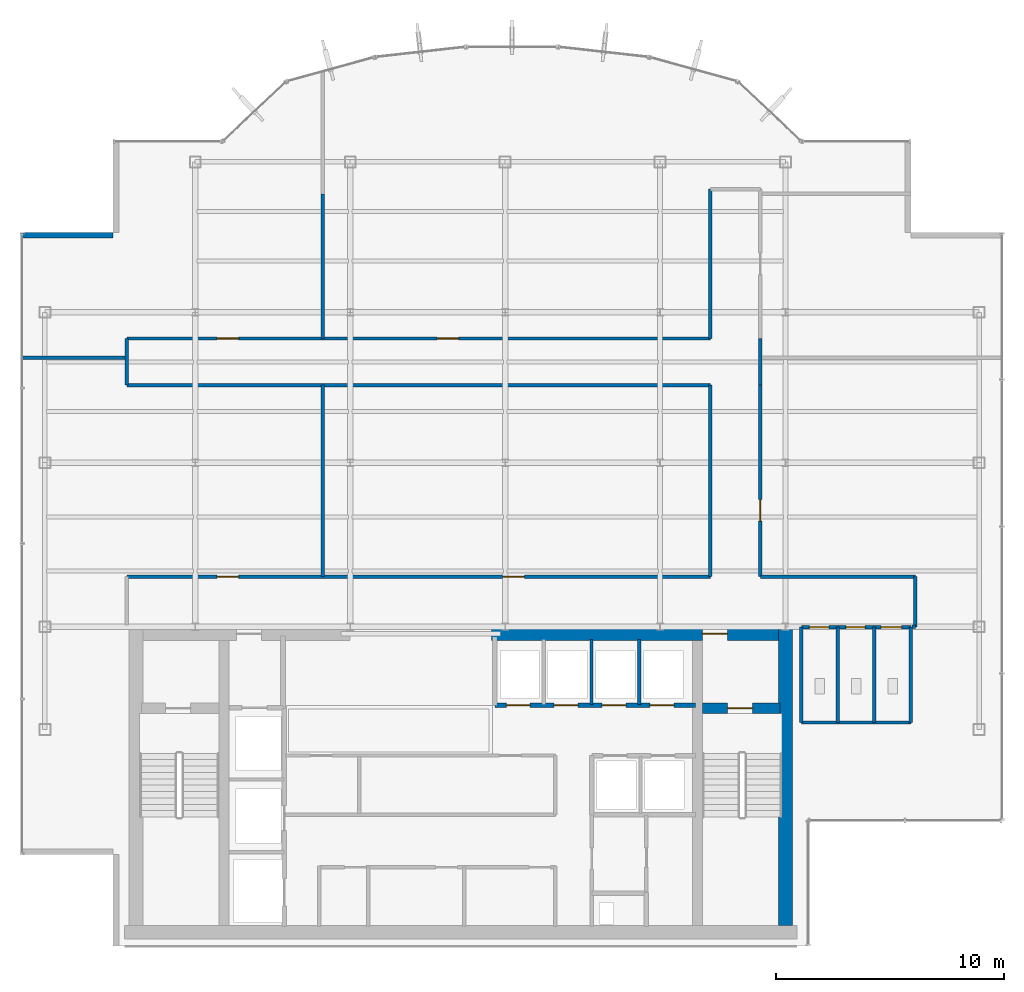
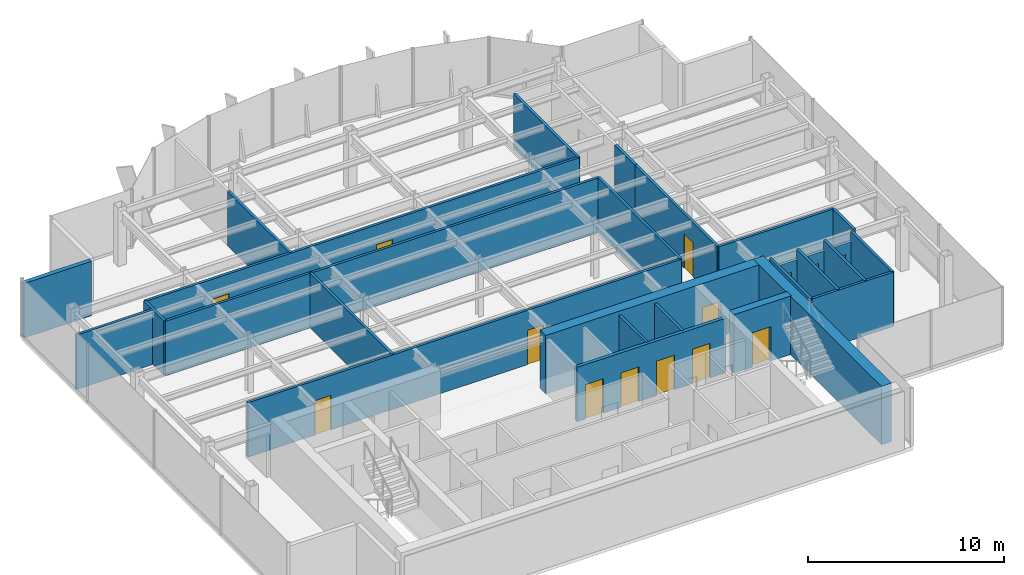
# One storey, part 18 of 22: 27 walls, 14 doors, 14 openings.
"""IFC4 building model written with IfcOpenShell, lengths in metres."""

from ifc_helpers import new_model, si_unit, derived_unit, direction, frame, frame_2d, origin, place, context, subcontext, project, spatial, rectangle, extrude, source, transform, mapped, material, layer, layer_set, type_object, element, fill, save


model = new_model("IFC4")

# Units and contexts
model_context = context("Model", 3, precision=1e-05, world=origin(), true_north=direction((0.0, 1.0)))
body_context = subcontext(model_context, "Body", "Model", "MODEL_VIEW")
ifc_project = project(units=[si_unit("LENGTHUNIT", "METRE"), si_unit("AREAUNIT", "SQUARE_METRE"), si_unit("VOLUMEUNIT", "CUBIC_METRE"), si_unit("PLANEANGLEUNIT", "RADIAN"), si_unit("MASSUNIT", "GRAM", prefix="KILO"), derived_unit("THERMALTRANSMITTANCEUNIT", [(si_unit("POWERUNIT", "WATT"), 1), (si_unit("LENGTHUNIT", "METRE"), -2), (si_unit("THERMODYNAMICTEMPERATUREUNIT", "KELVIN"), -1)])], contexts=[model_context])

# Site, building, storey
site_placement = place(None, origin())
site = spatial("IfcSite", under=ifc_project, at=site_placement, CompositionType="ELEMENT")
building_placement = place(site_placement, origin())
building = spatial("IfcBuilding", under=site, at=building_placement, Name="Skarnbrae Concourse Arena and Tower", CompositionType="ELEMENT")
storey_placement = place(building_placement, frame((0.0, 0.0, 221.449951171875)))
storey = spatial("IfcBuildingStorey", under=building, at=storey_placement, Name="L57", CompositionType="ELEMENT", Elevation=221.449951171875)

# Wall, opening, door
ifc_material_1 = material(Name="Concrete 50 MPa (C50/60)", Category="concrete")
ifc_layer_1 = layer(ifc_material_1, 0.449951171875)
ifc_layer_set_1 = layer_set([ifc_layer_1], Name="Concrete 50 MPa (C50/60)")
wall_type_1 = type_object("IfcWallType", Name="WALL-CORE-450-C50", PredefinedType="SHEAR", material=ifc_layer_set_1)
shared_shape_1 = source(origin(), body_context, "Body", "SweptSolid", [
    extrude(rectangle(XDim=3.389892578125, YDim=0.449951171875, at=frame_2d((1.69482421875, 0.0))), origin(), (0.0, 0.0, 1.0), 3.650146484375),
])
wall_1_placement = place(storey_placement, frame((29.860107421875, 10.419921875, 0.0), z_axis=(0.0, 0.0, 1.0), x_axis=(1.0, 0.0, 0.0)))
wall_1 = element("IfcWall", 1, at=wall_1_placement, inside=storey, type_object=wall_type_1, Name="L57 Rear core shear wall CW-ST2-N", PredefinedType="SHEAR", context=body_context, shape_type="MappedRepresentation", body=[
    mapped(shared_shape_1, transform((0.0, 0.0, 0.0))),
])
opening_1_placement = place(wall_1_placement, frame((1.10009765625, 0.0, 0.0)))
opening_1 = element("IfcOpeningElement", 2, at=opening_1_placement, cuts=wall_1, Name="Opening DT-03", PredefinedType="OPENING", context=body_context, shape_type="SweptSolid", body=[
    extrude(rectangle(XDim=1.10009765625, YDim=2.14990234375, at=frame_2d((0.550048828125, 1.074951171875))), frame((0.0, 0.23486328125, 0.0), z_axis=(0.0, -1.0, 0.0), x_axis=(1.0, 0.0, 0.0)), (0.0, 0.0, 1.0), 0.469970703125),
])
ifc_material_2 = material(Name="Steel CSA G40.21 350W", Category="steel")
door_type_1 = type_object("IfcDoorType", Name="DOOR-FIRE-1100-90M", OperationType="NOTDEFINED", PredefinedType="DOOR", material=ifc_material_2)
shared_shape_2 = source(origin(), body_context, "Body", "SweptSolid", [
    extrude(rectangle(XDim=1.10009765625, YDim=2.14990234375, at=frame_2d((0.550048828125, 1.074951171875))), frame((0.0, 0.02490234375, 0.0), z_axis=(0.0, -1.0, 0.0), x_axis=(1.0, 0.0, 0.0)), (0.0, 0.0, 1.0), 0.050048828125),
])
door_1_placement = place(opening_1_placement, frame((1.10009765625, 0.0, 0.0), z_axis=(0.0, 0.0, 1.0), x_axis=(-1.0, 0.0, 0.0)))
door_1 = element("IfcDoor", 3, at=door_1_placement, inside=storey, type_object=door_type_1, Name="D-1732 Stair ST-2 Door", OperationType="SINGLE_SWING_RIGHT", OverallHeight=2.14990234375, OverallWidth=1.10009765625, PredefinedType="DOOR", context=body_context, shape_type="MappedRepresentation", body=[
    mapped(shared_shape_2, transform((0.0, 0.0, 0.0))),
])
fill(opening_1, door_1)

# Wall
ifc_layer_2 = layer(ifc_material_1, 0.60009765625)
ifc_layer_set_2 = layer_set([ifc_layer_2], Name="Concrete 50 MPa (C50/60)")
wall_type_2 = type_object("IfcWallType", Name="WALL-CORE-600-C50", PredefinedType="SHEAR", material=ifc_layer_set_2)
shared_shape_3 = source(origin(), body_context, "Body", "SweptSolid", [
    extrude(rectangle(XDim=13.10009765625, YDim=0.60009765625, at=frame_2d((6.550048828125, 0.0))), origin(), (0.0, 0.0, 1.0), 3.650146484375),
])
wall_2_placement = place(storey_placement, frame((33.5, 0.89990234375, 0.0), z_axis=(0.0, 0.0, 1.0), x_axis=(0.0, 1.0, 0.0)))
element("IfcWall", 4, at=wall_2_placement, inside=storey, type_object=wall_type_2, Name="L57 Rear core shear wall CW-E", PredefinedType="SHEAR", context=body_context, shape_type="MappedRepresentation", body=[
    mapped(shared_shape_3, transform((0.0, 0.0, 0.0))),
])

# Wall, opening, door
shared_shape_4 = source(origin(), body_context, "Body", "SweptSolid", [
    extrude(rectangle(XDim=12.599853515625, YDim=0.60009765625, at=frame_2d((6.2998046875, 0.0))), origin(), (0.0, 0.0, 1.0), 3.650146484375),
])
wall_3_placement = place(storey_placement, frame((20.60009765625, 13.699951171875, 0.0), z_axis=(0.0, 0.0, 1.0), x_axis=(1.0, 0.0, 0.0)))
wall_3 = element("IfcWall", 5, at=wall_3_placement, inside=storey, type_object=wall_type_2, Name="L57 Rear core shear wall CW-NE", PredefinedType="SHEAR", context=body_context, shape_type="MappedRepresentation", body=[
    mapped(shared_shape_4, transform((0.0, 0.0, 0.0))),
])
opening_2_placement = place(wall_3_placement, frame((9.25, 0.0, 0.0)))
opening_2 = element("IfcOpeningElement", 6, at=opening_2_placement, cuts=wall_3, Name="Opening DT-03", PredefinedType="OPENING", context=body_context, shape_type="SweptSolid", body=[
    extrude(rectangle(XDim=1.10009765625, YDim=2.14990234375, at=frame_2d((0.550048828125, 1.074951171875))), frame((0.0, 0.31005859375, 0.0), z_axis=(0.0, -1.0, 0.0), x_axis=(1.0, 0.0, 0.0)), (0.0, 0.0, 1.0), 0.6201171875),
])
door_2_placement = place(opening_2_placement, origin())
door_2 = element("IfcDoor", 7, at=door_2_placement, inside=storey, type_object=door_type_1, Name="D-1734 Stair ST-2 Vestibule Door", OperationType="SINGLE_SWING_LEFT", OverallHeight=2.14990234375, OverallWidth=1.10009765625, PredefinedType="DOOR", context=body_context, shape_type="MappedRepresentation", body=[
    mapped(shared_shape_2, transform((0.0, 0.0, 0.0))),
])
fill(opening_2, door_2)

# Wall
ifc_material_3 = material(Name="Precast concrete 40 MPa (C40/50)", Category="concrete")
ifc_layer_3 = layer(ifc_material_3, 0.25)
ifc_layer_set_3 = layer_set([ifc_layer_3], Name="Precast concrete 40 MPa (C40/50)")
wall_type_3 = type_object("IfcWallType", Name="WALL-EXT-SPANDREL-250", PredefinedType="STANDARD", material=ifc_layer_set_3)
shared_shape_5 = source(origin(), body_context, "Body", "SweptSolid", [
    extrude(rectangle(XDim=4.0, YDim=0.25, at=frame_2d((2.0, 0.0))), origin(), (0.0, 0.0, 1.0), 3.400146484375),
])
wall_4_placement = place(storey_placement, frame((4.0, 31.175048828125, 0.0), z_axis=(0.0, 0.0, 1.0), x_axis=(-1.0, 0.0, 0.0)))
element("IfcWall", 8, at=wall_4_placement, inside=storey, type_object=wall_type_3, Name="L57 Notched corner insulated return wall 17", PredefinedType="STANDARD", context=body_context, shape_type="MappedRepresentation", body=[
    mapped(shared_shape_5, transform((0.0, 0.0, 0.0))),
])

# Wall, openings, doors
ifc_material_4 = material(Name="Gypsum board on cold-formed steel studs", Category="steel")
ifc_layer_4 = layer(ifc_material_4, 0.199951171875)
ifc_layer_set_4 = layer_set([ifc_layer_4], Name="Gypsum board on cold-formed steel studs")
wall_type_4 = type_object("IfcWallType", Name="WALL-PART-200-2HR", PredefinedType="PARTITIONING", material=ifc_layer_set_4)
shared_shape_6 = source(origin(), body_context, "Body", "SweptSolid", [
    extrude(rectangle(XDim=8.800048828125, YDim=0.199951171875, at=frame_2d((4.39990234375, 0.0))), origin(), (0.0, 0.0, 1.0), 3.400146484375),
])
wall_5_placement = place(storey_placement, frame((20.75, 10.550048828125, 0.0), z_axis=(0.0, 0.0, 1.0), x_axis=(1.0, 0.0, 0.0)))
wall_5 = element("IfcWall", 9, at=wall_5_placement, inside=storey, type_object=wall_type_4, Name="L57 Interior partition wall W-L57-B3N-S", PredefinedType="PARTITIONING", context=body_context, shape_type="MappedRepresentation", body=[
    mapped(shared_shape_6, transform((0.0, 0.0, 0.0))),
])
opening_3_placement = place(wall_5_placement, frame((0.5, 0.0, 0.0)))
opening_3 = element("IfcOpeningElement", 10, at=opening_3_placement, cuts=wall_5, Name="Opening LD-04", PredefinedType="OPENING", context=body_context, shape_type="SweptSolid", body=[
    extrude(rectangle(XDim=1.050048828125, YDim=2.14990234375, at=frame_2d((0.52490234375, 1.074951171875))), frame((0.0, 0.10986328125, 0.0), z_axis=(0.0, -1.0, 0.0), x_axis=(1.0, 0.0, 0.0)), (0.0, 0.0, 1.0), 0.219970703125),
])
opening_4_placement = place(wall_5_placement, frame((2.60009765625, 0.0, 0.0)))
opening_4 = element("IfcOpeningElement", 11, at=opening_4_placement, cuts=wall_5, Name="Opening LD-04", PredefinedType="OPENING", context=body_context, shape_type="SweptSolid", body=[
    extrude(rectangle(XDim=1.050048828125, YDim=2.14990234375, at=frame_2d((0.52490234375, 1.074951171875))), frame((0.0, 0.10986328125, 0.0), z_axis=(0.0, -1.0, 0.0), x_axis=(1.0, 0.0, 0.0)), (0.0, 0.0, 1.0), 0.219970703125),
])
opening_5_placement = place(wall_5_placement, frame((4.699951171875, 0.0, 0.0)))
opening_5 = element("IfcOpeningElement", 12, at=opening_5_placement, cuts=wall_5, Name="Opening LD-04", PredefinedType="OPENING", context=body_context, shape_type="SweptSolid", body=[
    extrude(rectangle(XDim=1.050048828125, YDim=2.14990234375, at=frame_2d((0.52490234375, 1.074951171875))), frame((0.0, 0.10986328125, 0.0), z_axis=(0.0, -1.0, 0.0), x_axis=(1.0, 0.0, 0.0)), (0.0, 0.0, 1.0), 0.219970703125),
])
opening_6_placement = place(wall_5_placement, frame((6.800048828125, 0.0, 0.0)))
opening_6 = element("IfcOpeningElement", 13, at=opening_6_placement, cuts=wall_5, Name="Opening LD-04", PredefinedType="OPENING", context=body_context, shape_type="SweptSolid", body=[
    extrude(rectangle(XDim=1.050048828125, YDim=2.14990234375, at=frame_2d((0.52490234375, 1.074951171875))), frame((0.0, 0.10986328125, 0.0), z_axis=(0.0, -1.0, 0.0), x_axis=(1.0, 0.0, 0.0)), (0.0, 0.0, 1.0), 0.219970703125),
])
ifc_material_5 = material(Name="Bronze anodised aluminium 6063-T6", Category="aluminium")
door_type_2 = type_object("IfcDoorType", Name="DOOR-LIFT-SLIDE-1050H", OperationType="SLIDING_TO_LEFT", PredefinedType="DOOR", material=ifc_material_5)
shared_shape_7 = source(origin(), body_context, "Body", "SweptSolid", [
    extrude(rectangle(XDim=1.050048828125, YDim=2.14990234375, at=frame_2d((0.52490234375, 1.074951171875))), frame((0.0, 0.02490234375, 0.0), z_axis=(0.0, -1.0, 0.0), x_axis=(1.0, 0.0, 0.0)), (0.0, 0.0, 1.0), 0.050048828125),
])
door_3_placement = place(opening_3_placement, frame((1.050048828125, 0.0, 0.0), z_axis=(0.0, 0.0, 1.0), x_axis=(-1.0, 0.0, 0.0)))
door_3 = element("IfcDoor", 14, at=door_3_placement, inside=storey, type_object=door_type_2, Name="D-1743 Passenger Lift Landing Door PL-3A", OperationType="SLIDING_TO_LEFT", OverallHeight=2.14990234375, OverallWidth=1.050048828125, PredefinedType="DOOR", context=body_context, shape_type="MappedRepresentation", body=[
    mapped(shared_shape_7, transform((0.0, 0.0, 0.0))),
])
fill(opening_3, door_3)
door_4_placement = place(opening_4_placement, frame((1.050048828125, 0.0, 0.0), z_axis=(0.0, 0.0, 1.0), x_axis=(-1.0, 0.0, 0.0)))
door_4 = element("IfcDoor", 15, at=door_4_placement, inside=storey, type_object=door_type_2, Name="D-1744 Passenger Lift Landing Door PL-3B", OperationType="SLIDING_TO_LEFT", OverallHeight=2.14990234375, OverallWidth=1.050048828125, PredefinedType="DOOR", context=body_context, shape_type="MappedRepresentation", body=[
    mapped(shared_shape_7, transform((0.0, 0.0, 0.0))),
])
fill(opening_4, door_4)
door_5_placement = place(opening_5_placement, frame((1.050048828125, 0.0, 0.0), z_axis=(0.0, 0.0, 1.0), x_axis=(-1.0, 0.0, 0.0)))
door_5 = element("IfcDoor", 16, at=door_5_placement, inside=storey, type_object=door_type_2, Name="D-1745 Passenger Lift Landing Door PL-3C", OperationType="SLIDING_TO_LEFT", OverallHeight=2.14990234375, OverallWidth=1.050048828125, PredefinedType="DOOR", context=body_context, shape_type="MappedRepresentation", body=[
    mapped(shared_shape_7, transform((0.0, 0.0, 0.0))),
])
fill(opening_5, door_5)
door_6_placement = place(opening_6_placement, frame((1.050048828125, 0.0, 0.0), z_axis=(0.0, 0.0, 1.0), x_axis=(-1.0, 0.0, 0.0)))
door_6 = element("IfcDoor", 17, at=door_6_placement, inside=storey, type_object=door_type_2, Name="D-1746 Passenger Lift Landing Door PL-3D", OperationType="SLIDING_TO_LEFT", OverallHeight=2.14990234375, OverallWidth=1.050048828125, PredefinedType="DOOR", context=body_context, shape_type="MappedRepresentation", body=[
    mapped(shared_shape_7, transform((0.0, 0.0, 0.0))),
])
fill(opening_6, door_6)

# Walls
ifc_layer_5 = layer(ifc_material_4, 0.14990234375)
ifc_layer_set_5 = layer_set([ifc_layer_5], Name="Gypsum board on cold-formed steel studs")
wall_type_5 = type_object("IfcWallType", Name="WALL-PART-150", PredefinedType="PARTITIONING", material=ifc_layer_set_5)
shared_shape_8 = source(origin(), body_context, "Body", "SweptSolid", [
    extrude(rectangle(XDim=2.849853515625, YDim=0.14990234375, at=frame_2d((1.4248046875, 0.0))), origin(), (0.0, 0.0, 1.0), 3.400146484375),
])
for number, where, z_axis, x_axis, name in (
    (18, (24.989990234375, 10.60009765625, 0.0), (0.0, 0.0, 1.0), (0.0, 1.0, 0.0), "L57 Interior partition wall W-L57-B3N-P2"),
    (19, (27.090087890625, 10.60009765625, 0.0), (0.0, 0.0, 1.0), (0.0, 1.0, 0.0), "L57 Interior partition wall W-L57-B3N-P3"),
):
    element("IfcWall", number, at=place(storey_placement, frame(where, z_axis=z_axis, x_axis=x_axis)), inside=storey, type_object=wall_type_5, Name=name, PredefinedType="PARTITIONING", context=body_context, shape_type="MappedRepresentation", body=[
        mapped(shared_shape_8, transform((0.0, 0.0, 0.0))),
    ])
shared_shape_9 = source(origin(), body_context, "Body", "SweptSolid", [
    extrude(rectangle(XDim=4.800048828125, YDim=0.14990234375, at=frame_2d((2.39990234375, 0.0))), origin(), (0.0, 0.0, 1.0), 3.400146484375),
])
wall_6_placement = place(storey_placement, frame((34.199951171875, 9.800048828125, 0.0), z_axis=(0.0, 0.0, 1.0), x_axis=(1.0, 0.0, 0.0)))
element("IfcWall", 20, at=wall_6_placement, inside=storey, type_object=wall_type_5, Name="L57 Interior partition wall W-L57-WC-S", PredefinedType="PARTITIONING", context=body_context, shape_type="MappedRepresentation", body=[
    mapped(shared_shape_9, transform((0.0, 0.0, 0.0))),
])
shared_shape_10 = source(origin(), body_context, "Body", "SweptSolid", [
    extrude(rectangle(XDim=4.179931640625, YDim=0.14990234375, at=frame_2d((2.08984375, 0.0))), origin(), (0.0, 0.0, 1.0), 3.400146484375),
])
for number, where, z_axis, x_axis, name in (
    (21, (39.0, 9.800048828125, 0.0), (0.0, 0.0, 1.0), (0.0, 1.0, 0.0), "L57 Interior partition wall W-L57-WC-E"),
    (22, (34.199951171875, 9.800048828125, 0.0), (0.0, 0.0, 1.0), (0.0, 1.0, 0.0), "L57 Interior partition wall W-L57-WC-W"),
    (23, (35.800048828125, 9.800048828125, 0.0), (0.0, 0.0, 1.0), (0.0, 1.0, 0.0), "L57 Interior partition wall W-L57-WC-D1"),
    (24, (37.39990234375, 9.800048828125, 0.0), (0.0, 0.0, 1.0), (0.0, 1.0, 0.0), "L57 Interior partition wall W-L57-WC-D2"),
):
    element("IfcWall", number, at=place(storey_placement, frame(where, z_axis=z_axis, x_axis=x_axis)), inside=storey, type_object=wall_type_5, Name=name, PredefinedType="PARTITIONING", context=body_context, shape_type="MappedRepresentation", body=[
        mapped(shared_shape_10, transform((0.0, 0.0, 0.0))),
    ])
ifc_layer_6 = layer(ifc_material_4, 0.14990234375)
ifc_layer_set_6 = layer_set([ifc_layer_6], Name="Gypsum board on cold-formed steel studs")
wall_type_6 = type_object("IfcWallType", Name="WALL-PART-150-1HR", PredefinedType="PARTITIONING", material=ifc_layer_set_6)
shared_shape_11 = source(origin(), body_context, "Body", "SweptSolid", [
    extrude(rectangle(XDim=2.199951171875, YDim=0.14990234375, at=frame_2d((1.10009765625, 0.0))), origin(), (0.0, 0.0, 1.0), 3.400146484375),
])
wall_7_placement = place(storey_placement, frame((39.199951171875, 16.199951171875, 0.0), z_axis=(0.0, 0.0, 1.0), x_axis=(0.0, -1.0, 0.0)))
element("IfcWall", 25, at=wall_7_placement, inside=storey, type_object=wall_type_6, Name="L57 Interior partition wall W-L57-COR-13", PredefinedType="PARTITIONING", context=body_context, shape_type="MappedRepresentation", body=[
    mapped(shared_shape_11, transform((0.0, 0.0, 0.0))),
])
shared_shape_12 = source(origin(), body_context, "Body", "SweptSolid", [
    extrude(rectangle(XDim=4.580078125, YDim=0.14990234375, at=frame_2d((2.2900390625, 0.0))), origin(), (0.0, 0.0, 1.0), 3.400146484375),
])
wall_8_placement = place(storey_placement, frame((0.02001953125, 25.800048828125, 0.0), z_axis=(0.0, 0.0, 1.0), x_axis=(1.0, 0.0, 0.0)))
element("IfcWall", 26, at=wall_8_placement, inside=storey, type_object=wall_type_5, Name="L57 Interior partition wall W-L57-DEM-15", PredefinedType="PARTITIONING", context=body_context, shape_type="MappedRepresentation", body=[
    mapped(shared_shape_12, transform((0.0, 0.0, 0.0))),
])

# Wall, openings, doors
shared_shape_13 = source(origin(), body_context, "Body", "SweptSolid", [
    extrude(rectangle(XDim=4.800048828125, YDim=0.14990234375, at=frame_2d((2.39990234375, 0.0))), origin(), (0.0, 0.0, 1.0), 2.787109375),
])
wall_9_placement = place(storey_placement, frame((34.199951171875, 13.97998046875, 0.0), z_axis=(0.0, 0.0, 1.0), x_axis=(1.0, 0.0, 0.0)))
wall_9 = element("IfcWall", 27, at=wall_9_placement, inside=storey, type_object=wall_type_5, Name="L57 Interior partition wall W-L57-WC-N", PredefinedType="PARTITIONING", context=body_context, shape_type="MappedRepresentation", body=[
    mapped(shared_shape_13, transform((0.0, 0.0, 0.0))),
])
opening_7_placement = place(wall_9_placement, frame((0.35009765625, 0.0, 0.0)))
opening_7 = element("IfcOpeningElement", 28, at=opening_7_placement, cuts=wall_9, Name="Opening DT-06", PredefinedType="OPENING", context=body_context, shape_type="SweptSolid", body=[
    extrude(rectangle(XDim=0.85009765625, YDim=2.10009765625, at=frame_2d((0.425048828125, 1.050048828125))), frame((0.0, 0.0849609375, 0.0), z_axis=(0.0, -1.0, 0.0), x_axis=(1.0, 0.0, 0.0)), (0.0, 0.0, 1.0), 0.169921875),
])
opening_8_placement = place(wall_9_placement, frame((1.949951171875, 0.0, 0.0)))
opening_8 = element("IfcOpeningElement", 29, at=opening_8_placement, cuts=wall_9, Name="Opening DT-06", PredefinedType="OPENING", context=body_context, shape_type="SweptSolid", body=[
    extrude(rectangle(XDim=0.85009765625, YDim=2.10009765625, at=frame_2d((0.425048828125, 1.050048828125))), frame((0.0, 0.0849609375, 0.0), z_axis=(0.0, -1.0, 0.0), x_axis=(1.0, 0.0, 0.0)), (0.0, 0.0, 1.0), 0.169921875),
])
opening_9_placement = place(wall_9_placement, frame((3.5, 0.0, 0.0)))
opening_9 = element("IfcOpeningElement", 30, at=opening_9_placement, cuts=wall_9, Name="Opening DT-05", PredefinedType="OPENING", context=body_context, shape_type="SweptSolid", body=[
    extrude(rectangle(XDim=0.89990234375, YDim=2.10009765625, at=frame_2d((0.449951171875, 1.050048828125))), frame((0.0, 0.0849609375, 0.0), z_axis=(0.0, -1.0, 0.0), x_axis=(1.0, 0.0, 0.0)), (0.0, 0.0, 1.0), 0.169921875),
])
ifc_material_6 = material(Name="Architectural oak veneer timber leaf", Category="wood")
door_type_3 = type_object("IfcDoorType", Name="DOOR-INT-850", OperationType="NOTDEFINED", PredefinedType="DOOR", material=ifc_material_6)
shared_shape_14 = source(origin(), body_context, "Body", "SweptSolid", [
    extrude(rectangle(XDim=0.85009765625, YDim=2.10009765625, at=frame_2d((0.425048828125, 1.050048828125))), frame((0.0, 0.02490234375, 0.0), z_axis=(0.0, -1.0, 0.0), x_axis=(1.0, 0.0, 0.0)), (0.0, 0.0, 1.0), 0.050048828125),
])
door_7_placement = place(opening_7_placement, frame((0.85009765625, 0.0, 0.0), z_axis=(0.0, 0.0, 1.0), x_axis=(-1.0, 0.0, 0.0)))
door_7 = element("IfcDoor", 31, at=door_7_placement, inside=storey, type_object=door_type_3, Name="D-1751 Male Washroom Door", OperationType="SINGLE_SWING_LEFT", OverallHeight=2.10009765625, OverallWidth=0.85009765625, PredefinedType="DOOR", context=body_context, shape_type="MappedRepresentation", body=[
    mapped(shared_shape_14, transform((0.0, 0.0, 0.0))),
])
fill(opening_7, door_7)
door_8_placement = place(opening_8_placement, frame((0.85009765625, 0.0, 0.0), z_axis=(0.0, 0.0, 1.0), x_axis=(-1.0, 0.0, 0.0)))
door_8 = element("IfcDoor", 32, at=door_8_placement, inside=storey, type_object=door_type_3, Name="D-1752 Female Washroom Door", OperationType="SINGLE_SWING_RIGHT", OverallHeight=2.10009765625, OverallWidth=0.85009765625, PredefinedType="DOOR", context=body_context, shape_type="MappedRepresentation", body=[
    mapped(shared_shape_14, transform((0.0, 0.0, 0.0))),
])
fill(opening_8, door_8)
door_type_4 = type_object("IfcDoorType", Name="DOOR-INT-900", OperationType="NOTDEFINED", PredefinedType="DOOR", material=ifc_material_6)
shared_shape_15 = source(origin(), body_context, "Body", "SweptSolid", [
    extrude(rectangle(XDim=0.89990234375, YDim=2.10009765625, at=frame_2d((0.449951171875, 1.050048828125))), frame((0.0, 0.02490234375, 0.0), z_axis=(0.0, -1.0, 0.0), x_axis=(1.0, 0.0, 0.0)), (0.0, 0.0, 1.0), 0.050048828125),
])
door_9_placement = place(opening_9_placement, frame((0.89990234375, 0.0, 0.0), z_axis=(0.0, 0.0, 1.0), x_axis=(-1.0, 0.0, 0.0)))
door_9 = element("IfcDoor", 33, at=door_9_placement, inside=storey, type_object=door_type_4, Name="D-1753 Accessible WC Door", OperationType="SINGLE_SWING_LEFT", OverallHeight=2.10009765625, OverallWidth=0.89990234375, PredefinedType="DOOR", context=body_context, shape_type="MappedRepresentation", body=[
    mapped(shared_shape_15, transform((0.0, 0.0, 0.0))),
])
fill(opening_9, door_9)

# Walls
shared_shape_16 = source(origin(), body_context, "Body", "SweptSolid", [
    extrude(rectangle(XDim=0.14990234375, YDim=0.14990234375, at=frame_2d((0.074951171875, 0.0))), origin(), (0.0, 0.0, 1.0), 3.400146484375),
])
wall_10_placement = place(storey_placement, frame((39.199951171875, 14.0, 0.0), z_axis=(0.0, 0.0, 1.0), x_axis=(-1.0, 0.0, 0.0)))
element("IfcWall", 34, at=wall_10_placement, inside=storey, type_object=wall_type_6, Name="L57 Interior partition wall W-L57-COR-14", PredefinedType="PARTITIONING", context=body_context, shape_type="MappedRepresentation", body=[
    mapped(shared_shape_16, transform((0.0, 0.0, 0.0))),
])
shared_shape_17 = source(origin(), body_context, "Body", "SweptSolid", [
    extrude(rectangle(XDim=6.800048828125, YDim=0.14990234375, at=frame_2d((3.39990234375, 0.0))), origin(), (0.0, 0.0, 1.0), 3.400146484375),
])
wall_11_placement = place(storey_placement, frame((32.39990234375, 16.199951171875, 0.0), z_axis=(0.0, 0.0, 1.0), x_axis=(1.0, 0.0, 0.0)))
element("IfcWall", 35, at=wall_11_placement, inside=storey, type_object=wall_type_6, Name="L57 Interior partition wall W-L57-COR-12", PredefinedType="PARTITIONING", context=body_context, shape_type="MappedRepresentation", body=[
    mapped(shared_shape_17, transform((0.0, 0.0, 0.0))),
])

# Wall, openings, doors
shared_shape_18 = source(origin(), body_context, "Body", "SweptSolid", [
    extrude(rectangle(XDim=25.599853515625, YDim=0.14990234375, at=frame_2d((12.7998046875, 0.0))), origin(), (0.0, 0.0, 1.0), 3.400146484375),
])
wall_12_placement = place(storey_placement, frame((4.60009765625, 16.199951171875, 0.0), z_axis=(0.0, 0.0, 1.0), x_axis=(1.0, 0.0, 0.0)))
wall_12 = element("IfcWall", 36, at=wall_12_placement, inside=storey, type_object=wall_type_6, Name="L57 Interior partition wall W-L57-COR-02", PredefinedType="PARTITIONING", context=body_context, shape_type="MappedRepresentation", body=[
    mapped(shared_shape_18, transform((0.0, 0.0, 0.0))),
])
opening_10_placement = place(wall_12_placement, frame((3.955078125, 0.0, 0.0)))
opening_10 = element("IfcOpeningElement", 37, at=opening_10_placement, cuts=wall_12, Name="Opening DT-04", PredefinedType="OPENING", context=body_context, shape_type="SweptSolid", body=[
    extrude(rectangle(XDim=0.949951171875, YDim=2.14990234375, at=frame_2d((0.47509765625, 1.074951171875))), frame((0.0, 0.0849609375, 0.0), z_axis=(0.0, -1.0, 0.0), x_axis=(1.0, 0.0, 0.0)), (0.0, 0.0, 1.0), 0.169921875),
])
opening_11_placement = place(wall_12_placement, frame((16.4951171875, 0.0, 0.0)))
opening_11 = element("IfcOpeningElement", 38, at=opening_11_placement, cuts=wall_12, Name="Opening DT-04", PredefinedType="OPENING", context=body_context, shape_type="SweptSolid", body=[
    extrude(rectangle(XDim=0.949951171875, YDim=2.14990234375, at=frame_2d((0.47509765625, 1.074951171875))), frame((0.0, 0.0849609375, 0.0), z_axis=(0.0, -1.0, 0.0), x_axis=(1.0, 0.0, 0.0)), (0.0, 0.0, 1.0), 0.169921875),
])
door_type_5 = type_object("IfcDoorType", Name="DOOR-INT-950-45M", OperationType="NOTDEFINED", PredefinedType="DOOR", material=ifc_material_2)
shared_shape_19 = source(origin(), body_context, "Body", "SweptSolid", [
    extrude(rectangle(XDim=0.949951171875, YDim=2.14990234375, at=frame_2d((0.47509765625, 1.074951171875))), frame((0.0, 0.02490234375, 0.0), z_axis=(0.0, -1.0, 0.0), x_axis=(1.0, 0.0, 0.0)), (0.0, 0.0, 1.0), 0.050048828125),
])
door_10_placement = place(opening_10_placement, origin())
door_10 = element("IfcDoor", 39, at=door_10_placement, inside=storey, type_object=door_type_5, Name="D-1754 L57 Suite Door 01", OperationType="SINGLE_SWING_LEFT", OverallHeight=2.14990234375, OverallWidth=0.949951171875, PredefinedType="DOOR", context=body_context, shape_type="MappedRepresentation", body=[
    mapped(shared_shape_19, transform((0.0, 0.0, 0.0))),
])
fill(opening_10, door_10)
door_11_placement = place(opening_11_placement, origin())
door_11 = element("IfcDoor", 40, at=door_11_placement, inside=storey, type_object=door_type_5, Name="D-1756 L57 Suite Door 03", OperationType="SINGLE_SWING_LEFT", OverallHeight=2.14990234375, OverallWidth=0.949951171875, PredefinedType="DOOR", context=body_context, shape_type="MappedRepresentation", body=[
    mapped(shared_shape_19, transform((0.0, 0.0, 0.0))),
])
fill(opening_11, door_11)

# Wall
wall_13_placement = place(storey_placement, frame((30.199951171875, 24.60009765625, 0.0), z_axis=(0.0, 0.0, 1.0), x_axis=(-1.0, 0.0, 0.0)))
element("IfcWall", 41, at=wall_13_placement, inside=storey, type_object=wall_type_6, Name="L57 Interior partition wall W-L57-COR-04", PredefinedType="PARTITIONING", context=body_context, shape_type="MappedRepresentation", body=[
    mapped(shared_shape_18, transform((0.0, 0.0, 0.0))),
])

# Wall, openings, doors
wall_14_placement = place(storey_placement, frame((4.60009765625, 26.64990234375, 0.0), z_axis=(0.0, 0.0, 1.0), x_axis=(1.0, 0.0, 0.0)))
wall_14 = element("IfcWall", 42, at=wall_14_placement, inside=storey, type_object=wall_type_6, Name="L57 Interior partition wall W-L57-COR-06", PredefinedType="PARTITIONING", context=body_context, shape_type="MappedRepresentation", body=[
    mapped(shared_shape_18, transform((0.0, 0.0, 0.0))),
])
opening_12_placement = place(wall_14_placement, frame((3.955078125, 0.0, 0.0)))
opening_12 = element("IfcOpeningElement", 43, at=opening_12_placement, cuts=wall_14, Name="Opening DT-04", PredefinedType="OPENING", context=body_context, shape_type="SweptSolid", body=[
    extrude(rectangle(XDim=0.949951171875, YDim=2.14990234375, at=frame_2d((0.47509765625, 1.074951171875))), frame((0.0, 0.0849609375, 0.0), z_axis=(0.0, -1.0, 0.0), x_axis=(1.0, 0.0, 0.0)), (0.0, 0.0, 1.0), 0.169921875),
])
opening_13_placement = place(wall_14_placement, frame((13.610107421875, 0.0, 0.0)))
opening_13 = element("IfcOpeningElement", 44, at=opening_13_placement, cuts=wall_14, Name="Opening DT-04", PredefinedType="OPENING", context=body_context, shape_type="SweptSolid", body=[
    extrude(rectangle(XDim=0.949951171875, YDim=2.14990234375, at=frame_2d((0.47509765625, 1.074951171875))), frame((0.0, 0.0849609375, 0.0), z_axis=(0.0, -1.0, 0.0), x_axis=(1.0, 0.0, 0.0)), (0.0, 0.0, 1.0), 0.169921875),
])
door_12_placement = place(opening_12_placement, origin())
door_12 = element("IfcDoor", 45, at=door_12_placement, inside=storey, type_object=door_type_5, Name="D-1755 L57 Suite Door 02", OperationType="SINGLE_SWING_RIGHT", OverallHeight=2.14990234375, OverallWidth=0.949951171875, PredefinedType="DOOR", context=body_context, shape_type="MappedRepresentation", body=[
    mapped(shared_shape_19, transform((0.0, 0.0, 0.0))),
])
fill(opening_12, door_12)
door_13_placement = place(opening_13_placement, origin())
door_13 = element("IfcDoor", 46, at=door_13_placement, inside=storey, type_object=door_type_5, Name="D-1757 L57 Suite Door 04", OperationType="SINGLE_SWING_RIGHT", OverallHeight=2.14990234375, OverallWidth=0.949951171875, PredefinedType="DOOR", context=body_context, shape_type="MappedRepresentation", body=[
    mapped(shared_shape_19, transform((0.0, 0.0, 0.0))),
])
fill(opening_13, door_13)

# Wall
shared_shape_20 = source(origin(), body_context, "Body", "SweptSolid", [
    extrude(rectangle(XDim=8.400146484375, YDim=0.14990234375, at=frame_2d((4.2001953125, 0.0))), origin(), (0.0, 0.0, 1.0), 3.400146484375),
])
wall_15_placement = place(storey_placement, frame((30.199951171875, 16.199951171875, 0.0), z_axis=(0.0, 0.0, 1.0), x_axis=(0.0, 1.0, 0.0)))
element("IfcWall", 47, at=wall_15_placement, inside=storey, type_object=wall_type_6, Name="L57 Interior partition wall W-L57-COR-03", PredefinedType="PARTITIONING", context=body_context, shape_type="MappedRepresentation", body=[
    mapped(shared_shape_20, transform((0.0, 0.0, 0.0))),
])

# Wall, opening, door
wall_16_placement = place(storey_placement, frame((32.39990234375, 24.60009765625, 0.0), z_axis=(0.0, 0.0, 1.0), x_axis=(0.0, -1.0, 0.0)))
wall_16 = element("IfcWall", 48, at=wall_16_placement, inside=storey, type_object=wall_type_6, Name="L57 Interior partition wall W-L57-COR-11", PredefinedType="PARTITIONING", context=body_context, shape_type="MappedRepresentation", body=[
    mapped(shared_shape_20, transform((0.0, 0.0, 0.0))),
])
opening_14_placement = place(wall_16_placement, frame((5.01611328125, 0.0, 0.0)))
opening_14 = element("IfcOpeningElement", 49, at=opening_14_placement, cuts=wall_16, Name="Opening DT-04", PredefinedType="OPENING", context=body_context, shape_type="SweptSolid", body=[
    extrude(rectangle(XDim=0.949951171875, YDim=2.14990234375, at=frame_2d((0.47509765625, 1.074951171875))), frame((0.0, 0.0849609375, 0.0), z_axis=(0.0, -1.0, 0.0), x_axis=(1.0, 0.0, 0.0)), (0.0, 0.0, 1.0), 0.169921875),
])
door_14_placement = place(opening_14_placement, origin())
door_14 = element("IfcDoor", 50, at=door_14_placement, inside=storey, type_object=door_type_5, Name="D-1759 L57 Suite Door 06", OperationType="SINGLE_SWING_RIGHT", OverallHeight=2.14990234375, OverallWidth=0.949951171875, PredefinedType="DOOR", context=body_context, shape_type="MappedRepresentation", body=[
    mapped(shared_shape_19, transform((0.0, 0.0, 0.0))),
])
fill(opening_14, door_14)

# Walls
wall_17_placement = place(storey_placement, frame((13.199951171875, 24.60009765625, 0.0), z_axis=(0.0, 0.0, 1.0), x_axis=(0.0, -1.0, 0.0)))
element("IfcWall", 51, at=wall_17_placement, inside=storey, type_object=wall_type_5, Name="L57 Interior partition wall W-L57-DEM-16", PredefinedType="PARTITIONING", context=body_context, shape_type="MappedRepresentation", body=[
    mapped(shared_shape_20, transform((0.0, 0.0, 0.0))),
])
shared_shape_21 = source(origin(), body_context, "Body", "SweptSolid", [
    extrude(rectangle(XDim=2.0498046875, YDim=0.14990234375, at=frame_2d((1.02490234375, 0.0))), origin(), (0.0, 0.0, 1.0), 3.400146484375),
])
for number, where, z_axis, x_axis, name in (
    (52, (4.60009765625, 24.60009765625, 0.0), (0.0, 0.0, 1.0), (0.0, 1.0, 0.0), "L57 Interior partition wall W-L57-COR-05"),
    (53, (32.39990234375, 26.64990234375, 0.0), (0.0, 0.0, 1.0), (0.0, -1.0, 0.0), "L57 Interior partition wall W-L57-COR-10"),
):
    element("IfcWall", number, at=place(storey_placement, frame(where, z_axis=z_axis, x_axis=x_axis)), inside=storey, type_object=wall_type_6, Name=name, PredefinedType="PARTITIONING", context=body_context, shape_type="MappedRepresentation", body=[
        mapped(shared_shape_21, transform((0.0, 0.0, 0.0))),
    ])
shared_shape_22 = source(origin(), body_context, "Body", "SweptSolid", [
    extrude(rectangle(XDim=6.550048828125, YDim=0.14990234375, at=frame_2d((3.27490234375, 0.0))), origin(), (0.0, 0.0, 1.0), 3.400146484375),
])
wall_18_placement = place(storey_placement, frame((30.199951171875, 26.64990234375, 0.0), z_axis=(0.0, 0.0, 1.0), x_axis=(0.0, 1.0, 0.0)))
element("IfcWall", 54, at=wall_18_placement, inside=storey, type_object=wall_type_6, Name="L57 Interior partition wall W-L57-COR-07", PredefinedType="PARTITIONING", context=body_context, shape_type="MappedRepresentation", body=[
    mapped(shared_shape_22, transform((0.0, 0.0, 0.0))),
])
shared_shape_23 = source(origin(), body_context, "Body", "SweptSolid", [
    extrude(rectangle(XDim=6.35009765625, YDim=0.14990234375, at=frame_2d((3.175048828125, 0.0))), origin(), (0.0, 0.0, 1.0), 3.400146484375),
])
wall_19_placement = place(storey_placement, frame((13.199951171875, 33.0, 0.0), z_axis=(0.0, 0.0, 1.0), x_axis=(0.0, -1.0, 0.0)))
element("IfcWall", 55, at=wall_19_placement, inside=storey, type_object=wall_type_5, Name="L57 Interior partition wall W-L57-DEM-18", PredefinedType="PARTITIONING", context=body_context, shape_type="MappedRepresentation", body=[
    mapped(shared_shape_23, transform((0.0, 0.0, 0.0))),
])

save(model, "model.ifc")
